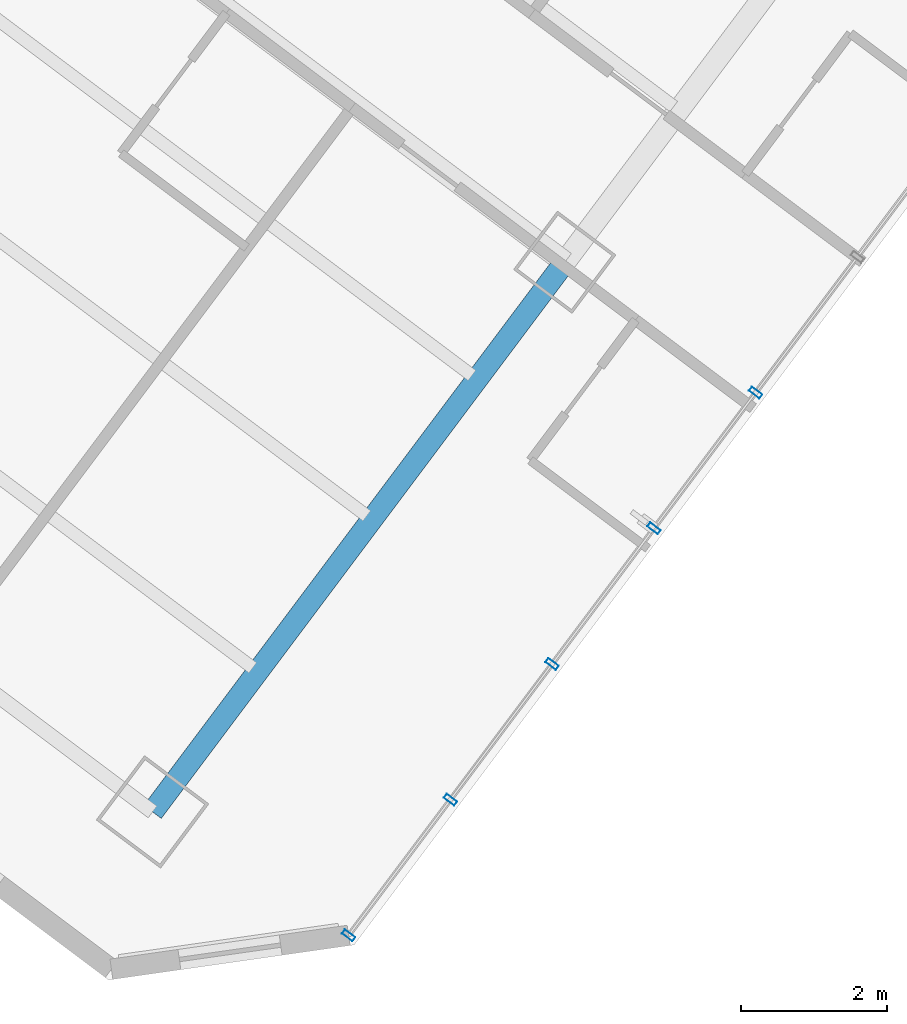
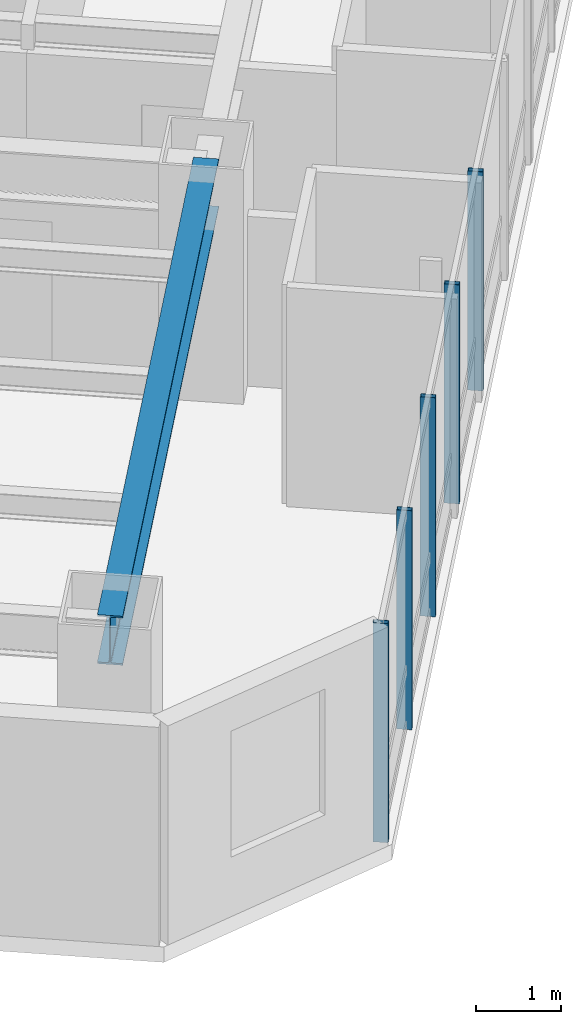
# One storey, part 8 of 38: 5 members, 1 beam, 1 element without a shape of its own.
"""IFC4 building model written with IfcOpenShell, lengths in metres."""

from ifc_helpers import new_model, si_unit, direction, frame, origin, origin_2d, place, context, subcontext, project, spatial, hollow_rectangle, i_section, extrude, material, layer, layer_set, material_profile, profile_set, type_object, element, aggregate, save


model = new_model("IFC4")

# Units and contexts
model_context = context("Model", 3, precision=1e-05, world=origin(), true_north=direction((0.0, 1.0)))
body_context = subcontext(model_context, "Body", "Model", "MODEL_VIEW")
ifc_project = project(units=[si_unit("LENGTHUNIT", "METRE"), si_unit("AREAUNIT", "SQUARE_METRE"), si_unit("VOLUMEUNIT", "CUBIC_METRE"), si_unit("PLANEANGLEUNIT", "RADIAN"), si_unit("MASSUNIT", "GRAM", prefix="KILO")], contexts=[model_context])

# Site, building, storey
site_placement = place(None, origin())
site = spatial("IfcSite", under=ifc_project, at=site_placement, CompositionType="ELEMENT")
building_placement = place(site_placement, origin())
building = spatial("IfcBuilding", under=site, at=building_placement, Name="Hatsunagi Terrace Concourse", CompositionType="ELEMENT")
storey_placement = place(building_placement, frame((0.0, 0.0, 60.050048828125)))
storey = spatial("IfcBuildingStorey", under=building, at=storey_placement, Name="L15", CompositionType="ELEMENT", Elevation=60.050048828125)

# Curtain wall, members
ifc_material_1 = material(Name="Anodised Aluminium Alloy 6063-T5", Category="aluminium")
ifc_layer = layer(ifc_material_1, 0.199951171875)
ifc_layer_set = layer_set([ifc_layer], Name="HotelFacade_CW02")
curtain_wall_type = type_object("IfcCurtainWallType", Name="HotelFacade_CW02", PredefinedType="NOTDEFINED", material=ifc_layer_set)
curtain_wall_placement = place(storey_placement, origin())
curtain_wall = element("IfcCurtainWall", 1, at=curtain_wall_placement, inside=storey, type_object=curtain_wall_type, Name="Unitised Curtain Wall CW-02 CW-L15-03", PredefinedType="NOTDEFINED")
ifc_material_2 = material(Name="Anodised Aluminium Alloy 6063-T5", Category="aluminium")
ifc_material_profile_1 = material_profile(ifc_material_2, hollow_rectangle(XDim=0.070068359375, YDim=0.179931640625, WallThickness=0.00390625, at=origin_2d()), Name="ALU-MUL-180x70x4")
ifc_profile_set_1 = profile_set([ifc_material_profile_1], Name="Anodised Aluminium Alloy 6063-T5")
member_type = type_object("IfcMemberType", Name="CurtainWallMullion_180x70", PredefinedType="MULLION", material=ifc_profile_set_1)
member_1_placement = place(storey_placement, frame((62.132080078125, 10.3759765625, 0.0), z_axis=(0.0, 0.0, 1.0), x_axis=(-0.599969314634, -0.800023013105, 0.0)))
member_1 = element("IfcMember", 2, at=member_1_placement, type_object=member_type, Name="Curtain Wall Mullion MUL-02", PredefinedType="MULLION", context=body_context, shape_type="SweptSolid", body=[
    extrude(hollow_rectangle(XDim=0.070068359375, YDim=0.179931640625, WallThickness=0.00390625, at=origin_2d()), origin(), (0.0, 0.0, 1.0), 3.1298828125),
])
member_2_placement = place(storey_placement, frame((60.739990234375, 8.51904296875, 0.0), z_axis=(0.0, 0.0, 1.0), x_axis=(-0.599969314634, -0.800023013105, 0.0)))
member_2 = element("IfcMember", 3, at=member_2_placement, type_object=member_type, Name="Curtain Wall Mullion MUL-02", PredefinedType="MULLION", context=body_context, shape_type="SweptSolid", body=[
    extrude(hollow_rectangle(XDim=0.070068359375, YDim=0.179931640625, WallThickness=0.00390625, at=origin_2d()), origin(), (0.0, 0.0, 1.0), 3.1298828125),
])
member_3_placement = place(storey_placement, frame((59.346923828125, 6.6630859375, 0.0), z_axis=(0.0, 0.0, 1.0), x_axis=(-0.599969314634, -0.800023013105, 0.0)))
member_3 = element("IfcMember", 4, at=member_3_placement, type_object=member_type, Name="Curtain Wall Mullion MUL-02", PredefinedType="MULLION", context=body_context, shape_type="SweptSolid", body=[
    extrude(hollow_rectangle(XDim=0.070068359375, YDim=0.179931640625, WallThickness=0.00390625, at=origin_2d()), origin(), (0.0, 0.0, 1.0), 3.1298828125),
])
member_4_placement = place(storey_placement, frame((57.955078125, 4.805908203125, 0.0), z_axis=(0.0, 0.0, 1.0), x_axis=(-0.599969314634, -0.800023013105, 0.0)))
member_4 = element("IfcMember", 5, at=member_4_placement, type_object=member_type, Name="Curtain Wall Mullion MUL-02", PredefinedType="MULLION", context=body_context, shape_type="SweptSolid", body=[
    extrude(hollow_rectangle(XDim=0.070068359375, YDim=0.179931640625, WallThickness=0.00390625, at=origin_2d()), origin(), (0.0, 0.0, 1.0), 3.1298828125),
])
member_5_placement = place(storey_placement, frame((56.56298828125, 2.949951171875, 0.0), z_axis=(0.0, 0.0, 1.0), x_axis=(-0.599969314634, -0.800023013105, 0.0)))
member_5 = element("IfcMember", 6, at=member_5_placement, type_object=member_type, Name="Curtain Wall Mullion MUL-02", PredefinedType="MULLION", context=body_context, shape_type="SweptSolid", body=[
    extrude(hollow_rectangle(XDim=0.070068359375, YDim=0.179931640625, WallThickness=0.00390625, at=origin_2d()), origin(), (0.0, 0.0, 1.0), 3.1298828125),
])
aggregate(curtain_wall, [member_1, member_2, member_3, member_4, member_5])

# Beam
ifc_material_3 = material(Name="Steel SN490B", Category="steel")
ifc_material_profile_2 = material_profile(ifc_material_3, i_section(OverallWidth=0.300048828125, OverallDepth=0.699951171875, WebThickness=0.012939453125, FlangeThickness=0.02392578125, FilletRadius=0.02197265625, at=origin_2d()), Name="H-700x300x13x24")
ifc_profile_set_2 = profile_set([ifc_material_profile_2], Name="Steel SN490B")
beam_type = type_object("IfcBeamType", Name="HotelFloorGirder_H_700x300", PredefinedType="BEAM", material=ifc_profile_set_2)
beam_placement = place(storey_placement, frame((53.8798828125, 4.639892578125, 2.780029296875), z_axis=(0.600008311051, 0.799993766644, 0.0), x_axis=(-0.799993766644, 0.600008311051, 0.0)))
element("IfcBeam", 7, at=beam_placement, inside=storey, type_object=beam_type, Name="Beam G-04 BM-L15-SET-3A", PredefinedType="BEAM", context=body_context, shape_type="SweptSolid", body=[
    extrude(i_section(OverallWidth=0.300048828125, OverallDepth=0.699951171875, WebThickness=0.012939453125, FlangeThickness=0.02392578125, FilletRadius=0.02197265625, at=origin_2d()), origin(), (0.0, 0.0, 1.0), 9.400146484375),
])

save(model, "model.ifc")
